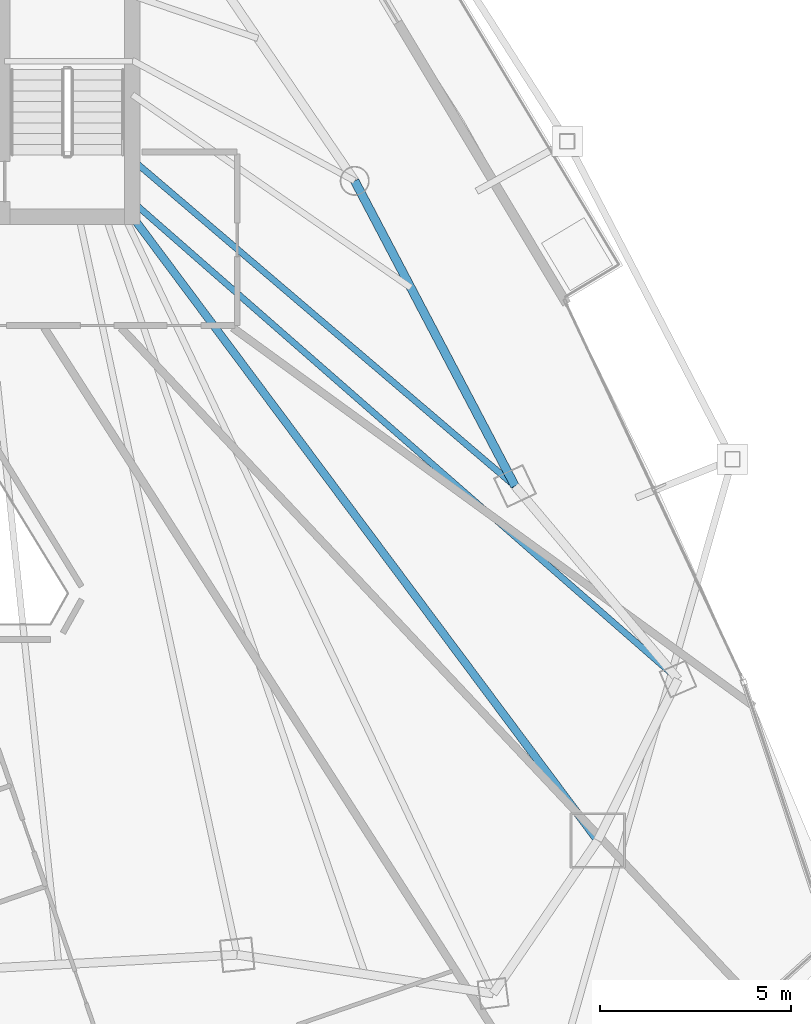
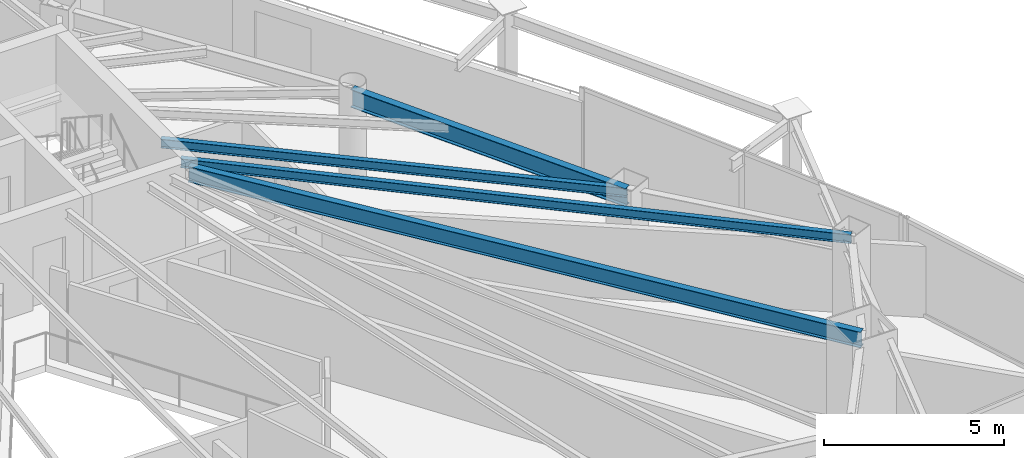
# One storey, part 15 of 29: 4 beams.
"""IFC4 building model written with IfcOpenShell, lengths in metres."""

from ifc_helpers import new_model, si_unit, direction, frame, origin, origin_2d, place, context, subcontext, project, spatial, i_section, extrude, material, material_profile, profile_set, type_object, element, save


model = new_model("IFC4")

# Units and contexts
model_context = context("Model", 3, precision=1e-05, world=origin(), true_north=direction((0.0, 1.0)))
body_context = subcontext(model_context, "Body", "Model", "MODEL_VIEW")
ifc_project = project(units=[si_unit("LENGTHUNIT", "METRE"), si_unit("AREAUNIT", "SQUARE_METRE"), si_unit("VOLUMEUNIT", "CUBIC_METRE"), si_unit("PLANEANGLEUNIT", "RADIAN"), si_unit("MASSUNIT", "GRAM", prefix="KILO")], contexts=[model_context])

# Site, building, storey
site_placement = place(None, origin())
site = spatial("IfcSite", under=ifc_project, at=site_placement, CompositionType="ELEMENT")
building_placement = place(site_placement, origin())
building = spatial("IfcBuilding", under=site, at=building_placement, Name="Orvanel Arch Residences", CompositionType="ELEMENT")
storey_placement = place(building_placement, frame((0.0, 0.0, 167.14990234375)))
storey = spatial("IfcBuildingStorey", under=building, at=storey_placement, Name="L47", CompositionType="ELEMENT", Elevation=167.14990234375)

# Beams
ifc_material = material(Name="Structural steel AS/NZS 3679.1 Grade 300 (300 MPa)", Category="steel")
ifc_material_profile_1 = material_profile(ifc_material, i_section(OverallWidth=0.208984375, OverallDepth=0.532958984375, WebThickness=0.01025390625, FlangeThickness=0.015625, at=origin_2d()), Name="530UB92.4")
ifc_profile_set_1 = profile_set([ifc_material_profile_1], Name="Structural steel AS/NZS 3679.1 Grade 300 (300 MPa)")
beam_type_1 = type_object("IfcBeamType", Name="BG-530UB", PredefinedType="BEAM", material=ifc_profile_set_1)
beam_1_placement = place(storey_placement, frame((39.625, 26.675048828125, 2.794189453125), z_axis=(0.597893733742, -0.801575375839, 0.0), x_axis=(0.801575375839, 0.597893733742, 0.0)))
element("IfcBeam", 1, at=beam_1_placement, inside=storey, type_object=beam_type_1, Name="L47 South-East Radial Girder", PredefinedType="BEAM", context=body_context, shape_type="SweptSolid", body=[
    extrude(i_section(OverallWidth=0.208984375, OverallDepth=0.532958984375, WebThickness=0.01025390625, FlangeThickness=0.015625, at=origin_2d()), origin(), (0.0, 0.0, 1.0), 20.36474609375),
])
ifc_material_profile_2 = material_profile(ifc_material, i_section(OverallWidth=0.1650390625, OverallDepth=0.303955078125, WebThickness=0.006103515625, FlangeThickness=0.01025390625, at=origin_2d()), Name="310UB40.4")
ifc_profile_set_2 = profile_set([ifc_material_profile_2], Name="Structural steel AS/NZS 3679.1 Grade 300 (300 MPa)")
beam_type_2 = type_object("IfcBeamType", Name="BJ-310UB", PredefinedType="JOIST", material=ifc_profile_set_2)
beam_2_placement = place(storey_placement, frame((39.60009765625, 28.199951171875, 2.908203125), z_axis=(0.760821315761, -0.648961420644, 0.0), x_axis=(0.648961420644, 0.760821315761, 0.0)))
element("IfcBeam", 2, at=beam_2_placement, inside=storey, type_object=beam_type_2, Name="L47 E Wing Floor Joist", PredefinedType="JOIST", context=body_context, shape_type="SweptSolid", body=[
    extrude(i_section(OverallWidth=0.1650390625, OverallDepth=0.303955078125, WebThickness=0.006103515625, FlangeThickness=0.01025390625, at=origin_2d()), origin(), (0.0, 0.0, 1.0), 13.18701171875),
])
beam_3_placement = place(storey_placement, frame((39.60009765625, 27.10009765625, 2.908203125), z_axis=(0.752493154183, -0.658600070534, 0.0), x_axis=(0.658600070534, 0.752493154183, 0.0)))
element("IfcBeam", 3, at=beam_3_placement, inside=storey, type_object=beam_type_2, Name="L47 ME Wing Floor Joist", PredefinedType="JOIST", context=body_context, shape_type="SweptSolid", body=[
    extrude(i_section(OverallWidth=0.1650390625, OverallDepth=0.303955078125, WebThickness=0.006103515625, FlangeThickness=0.01025390625, at=origin_2d()), origin(), (0.0, 0.0, 1.0), 19.010009765625),
])
ifc_material_profile_3 = material_profile(ifc_material, i_section(OverallWidth=0.22900390625, OverallDepth=0.612060546875, WebThickness=0.011962890625, FlangeThickness=0.01953125, at=origin_2d()), Name="610UB125")
ifc_profile_set_3 = profile_set([ifc_material_profile_3], Name="Structural steel AS/NZS 3679.1 Grade 300 (300 MPa)")
beam_type_3 = type_object("IfcBeamType", Name="SP-610UB", PredefinedType="SPANDREL", material=ifc_profile_set_3)
beam_4_placement = place(storey_placement, frame((49.633056640625, 19.64208984375, 2.754150390625), z_axis=(-0.465064762793, 0.885276660942, 0.0), x_axis=(-0.885276660942, -0.465064762793, 0.0)))
element("IfcBeam", 4, at=beam_4_placement, inside=storey, type_object=beam_type_3, Name="L47 Perimeter Spandrel Beam 11", PredefinedType="SPANDREL", context=body_context, shape_type="SweptSolid", body=[
    extrude(i_section(OverallWidth=0.22900390625, OverallDepth=0.612060546875, WebThickness=0.011962890625, FlangeThickness=0.01953125, at=origin_2d()), origin(), (0.0, 0.0, 1.0), 9.03564453125),
])

save(model, "model.ifc")
